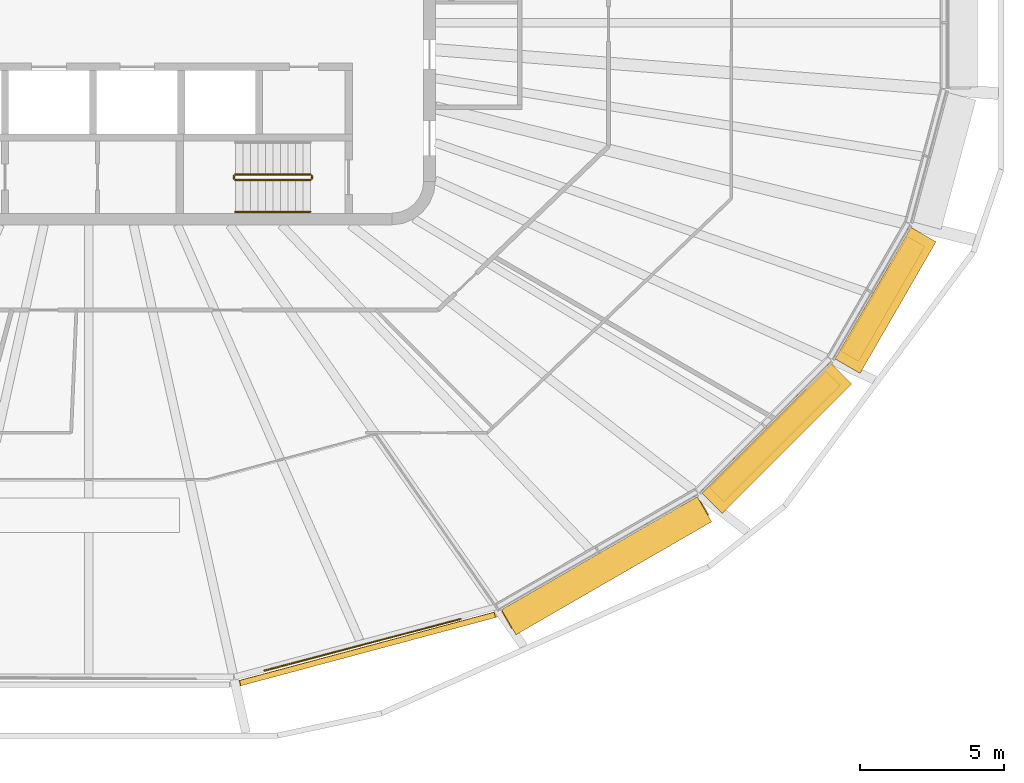
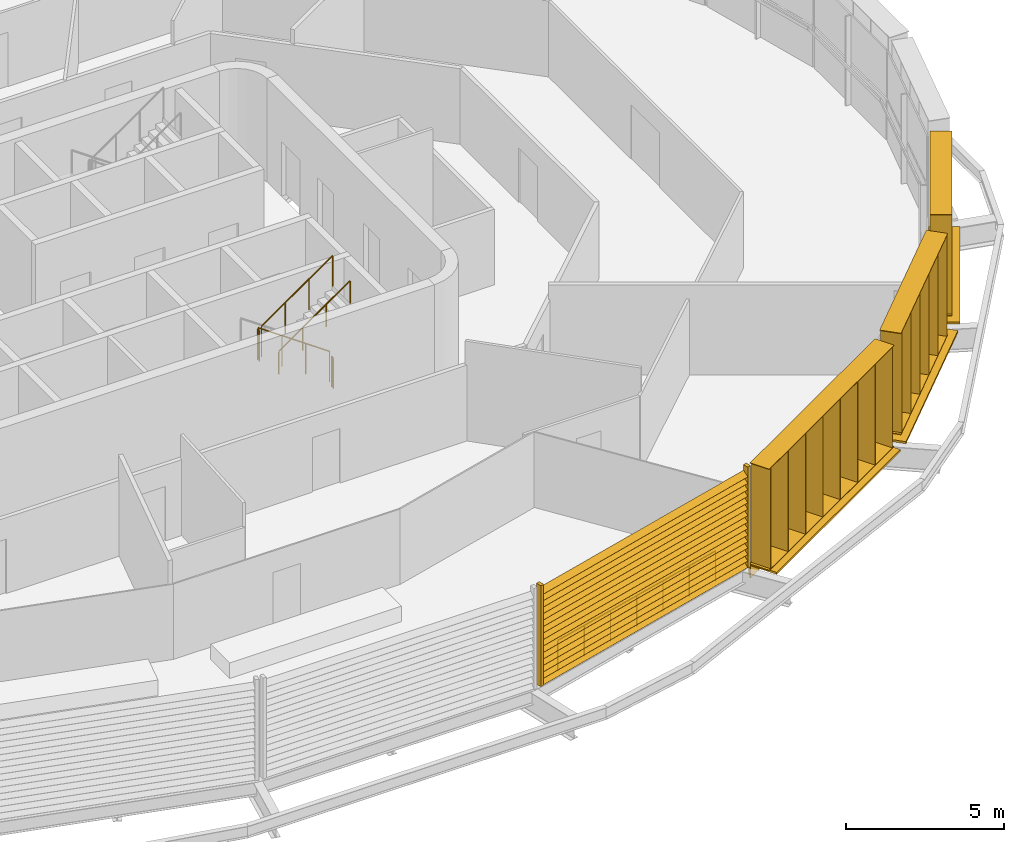
# One storey, part 18 of 20: 7 shading devices, 6 railings.
"""IFC4 building model written with IfcOpenShell, lengths in metres."""

from ifc_helpers import new_model, si_unit, direction, frame, origin, origin_2d, place, context, subcontext, project, spatial, rectangle, circle, extrude, material, type_object, element, save


model = new_model("IFC4")

# Units and contexts
model_context = context("Model", 3, precision=1e-05, world=origin(), true_north=direction((0.0, 1.0)))
body_context = subcontext(model_context, "Body", "Model", "MODEL_VIEW")
ifc_project = project(units=[si_unit("LENGTHUNIT", "METRE"), si_unit("AREAUNIT", "SQUARE_METRE"), si_unit("VOLUMEUNIT", "CUBIC_METRE"), si_unit("PLANEANGLEUNIT", "RADIAN"), si_unit("MASSUNIT", "GRAM", prefix="KILO")], contexts=[model_context])

# Site, building, storey
site_placement = place(None, origin())
site = spatial("IfcSite", under=ifc_project, at=site_placement, CompositionType="ELEMENT")
building_placement = place(site_placement, origin())
building = spatial("IfcBuilding", under=site, at=building_placement, Name="Sahrelin Media Tower", CompositionType="ELEMENT")
storey_placement = place(building_placement, frame((0.0, 0.0, 271.0)))
storey = spatial("IfcBuildingStorey", under=building, at=storey_placement, Name="L59", CompositionType="ELEMENT", Elevation=271.0)

# Shading devices
ifc_material_1 = material(Name="Champagne anodised aluminium 6063-T6", Category="aluminium")
shading_device_type_1 = type_object("IfcShadingDeviceType", Name="Fin cassette", PredefinedType="USERDEFINED", material=ifc_material_1)
placement_1 = place(storey_placement, frame((17.672119140625, -18.354736328125, 0.0), z_axis=(0.0, 0.0, 1.0), x_axis=(-0.866019052629, -0.500011000363, 0.0)))
element("IfcShadingDevice", 1, at=placement_1, inside=storey, type_object=shading_device_type_1, Name="L59:FIN:L59-20", ObjectType="FIN", PredefinedType="USERDEFINED", context=body_context, shape_type="SweptSolid", body=[
    extrude(rectangle(XDim=7.89990234375, YDim=0.699951171875, at=origin_2d()), frame((0.0, 0.419921875, 0.0)), (0.0, 0.0, 1.0), 0.02001953125),
    extrude(rectangle(XDim=7.89990234375, YDim=0.699951171875, at=origin_2d()), frame((0.0, 0.419921875, 3.89990234375)), (0.0, 0.0, 1.0), 0.02001953125),
    extrude(rectangle(XDim=0.02001953125, YDim=0.699951171875, at=origin_2d()), frame((-3.85009765625, 0.419921875, 0.010009765625), z_axis=(0.0, 0.0, 1.0), x_axis=(1.0, 0.0, 0.0)), (0.0, 0.0, 1.0), 3.89990234375),
    extrude(rectangle(XDim=0.02001953125, YDim=0.699951171875, at=origin_2d()), frame((-2.75, 0.419921875, 0.010009765625), z_axis=(0.0, 0.0, 1.0), x_axis=(1.0, 0.0, 0.0)), (0.0, 0.0, 1.0), 3.89990234375),
    extrude(rectangle(XDim=0.02001953125, YDim=0.699951171875, at=origin_2d()), frame((-1.64990234375, 0.419921875, 0.010009765625), z_axis=(0.0, 0.0, 1.0), x_axis=(1.0, 0.0, 0.0)), (0.0, 0.0, 1.0), 3.89990234375),
    extrude(rectangle(XDim=0.02001953125, YDim=0.699951171875, at=origin_2d()), frame((-0.550048828125, 0.419921875, 0.010009765625), z_axis=(0.0, 0.0, 1.0), x_axis=(1.0, 0.0, 0.0)), (0.0, 0.0, 1.0), 3.89990234375),
    extrude(rectangle(XDim=0.02001953125, YDim=0.699951171875, at=origin_2d()), frame((0.550048828125, 0.419921875, 0.010009765625), z_axis=(0.0, 0.0, 1.0), x_axis=(1.0, 0.0, 0.0)), (0.0, 0.0, 1.0), 3.89990234375),
    extrude(rectangle(XDim=0.02001953125, YDim=0.699951171875, at=origin_2d()), frame((1.64990234375, 0.419921875, 0.010009765625), z_axis=(0.0, 0.0, 1.0), x_axis=(1.0, 0.0, 0.0)), (0.0, 0.0, 1.0), 3.89990234375),
    extrude(rectangle(XDim=0.02001953125, YDim=0.699951171875, at=origin_2d()), frame((2.75, 0.419921875, 0.010009765625), z_axis=(0.0, 0.0, 1.0), x_axis=(1.0, 0.0, 0.0)), (0.0, 0.0, 1.0), 3.89990234375),
    extrude(rectangle(XDim=0.02001953125, YDim=0.699951171875, at=origin_2d()), frame((3.85009765625, 0.419921875, 0.010009765625), z_axis=(0.0, 0.0, 1.0), x_axis=(1.0, 0.0, 0.0)), (0.0, 0.0, 1.0), 3.89990234375),
])
placement_2 = place(storey_placement, frame((23.461181640625, -14.0341796875, 0.0), z_axis=(0.0, 0.0, 1.0), x_axis=(-0.707106781187, -0.707106781187, 0.0)))
element("IfcShadingDevice", 2, at=placement_2, inside=storey, type_object=shading_device_type_1, Name="L59:FIN:L59-21", ObjectType="FIN", PredefinedType="USERDEFINED", context=body_context, shape_type="SweptSolid", body=[
    extrude(rectangle(XDim=5.699951171875, YDim=0.699951171875, at=origin_2d()), frame((0.0, 0.419921875, 0.0)), (0.0, 0.0, 1.0), 0.02001953125),
    extrude(rectangle(XDim=5.699951171875, YDim=0.699951171875, at=origin_2d()), frame((0.0, 0.419921875, 3.89990234375)), (0.0, 0.0, 1.0), 0.02001953125),
    extrude(rectangle(XDim=0.02001953125, YDim=0.699951171875, at=origin_2d()), frame((-2.75, 0.419921875, 0.010009765625), z_axis=(0.0, 0.0, 1.0), x_axis=(1.0, 0.0, 0.0)), (0.0, 0.0, 1.0), 3.89990234375),
    extrude(rectangle(XDim=0.02001953125, YDim=0.699951171875, at=origin_2d()), frame((-1.64990234375, 0.419921875, 0.010009765625), z_axis=(0.0, 0.0, 1.0), x_axis=(1.0, 0.0, 0.0)), (0.0, 0.0, 1.0), 3.89990234375),
    extrude(rectangle(XDim=0.02001953125, YDim=0.699951171875, at=origin_2d()), frame((-0.550048828125, 0.419921875, 0.010009765625), z_axis=(0.0, 0.0, 1.0), x_axis=(1.0, 0.0, 0.0)), (0.0, 0.0, 1.0), 3.89990234375),
    extrude(rectangle(XDim=0.02001953125, YDim=0.699951171875, at=origin_2d()), frame((0.550048828125, 0.419921875, 0.010009765625), z_axis=(0.0, 0.0, 1.0), x_axis=(1.0, 0.0, 0.0)), (0.0, 0.0, 1.0), 3.89990234375),
    extrude(rectangle(XDim=0.02001953125, YDim=0.699951171875, at=origin_2d()), frame((1.64990234375, 0.419921875, 0.010009765625), z_axis=(0.0, 0.0, 1.0), x_axis=(1.0, 0.0, 0.0)), (0.0, 0.0, 1.0), 3.89990234375),
    extrude(rectangle(XDim=0.02001953125, YDim=0.699951171875, at=origin_2d()), frame((2.75, 0.419921875, 0.010009765625), z_axis=(0.0, 0.0, 1.0), x_axis=(1.0, 0.0, 0.0)), (0.0, 0.0, 1.0), 3.89990234375),
])
placement_3 = place(storey_placement, frame((27.14111328125, -9.355224609375, 0.0), z_axis=(0.0, 0.0, 1.0), x_axis=(-0.500011000363, -0.866019052629, 0.0)))
element("IfcShadingDevice", 3, at=placement_3, inside=storey, type_object=shading_device_type_1, Name="L59:FIN:L59-22", ObjectType="FIN", PredefinedType="USERDEFINED", context=body_context, shape_type="SweptSolid", body=[
    extrude(rectangle(XDim=4.60009765625, YDim=0.699951171875, at=origin_2d()), frame((0.0, 0.419921875, 0.0)), (0.0, 0.0, 1.0), 0.02001953125),
    extrude(rectangle(XDim=4.60009765625, YDim=0.699951171875, at=origin_2d()), frame((0.0, 0.419921875, 3.89990234375)), (0.0, 0.0, 1.0), 0.02001953125),
    extrude(rectangle(XDim=0.02001953125, YDim=0.699951171875, at=origin_2d()), frame((-2.199951171875, 0.419921875, 0.010009765625), z_axis=(0.0, 0.0, 1.0), x_axis=(1.0, 0.0, 0.0)), (0.0, 0.0, 1.0), 3.89990234375),
    extrude(rectangle(XDim=0.02001953125, YDim=0.699951171875, at=origin_2d()), frame((-1.10009765625, 0.419921875, 0.010009765625), z_axis=(0.0, 0.0, 1.0), x_axis=(1.0, 0.0, 0.0)), (0.0, 0.0, 1.0), 3.89990234375),
    extrude(rectangle(XDim=0.02001953125, YDim=0.699951171875, at=origin_2d()), frame((0.0, 0.419921875, 0.010009765625), z_axis=(0.0, 0.0, 1.0), x_axis=(1.0, 0.0, 0.0)), (0.0, 0.0, 1.0), 3.89990234375),
    extrude(rectangle(XDim=0.02001953125, YDim=0.699951171875, at=origin_2d()), frame((1.10009765625, 0.419921875, 0.010009765625), z_axis=(0.0, 0.0, 1.0), x_axis=(1.0, 0.0, 0.0)), (0.0, 0.0, 1.0), 3.89990234375),
    extrude(rectangle(XDim=0.02001953125, YDim=0.699951171875, at=origin_2d()), frame((2.199951171875, 0.419921875, 0.010009765625), z_axis=(0.0, 0.0, 1.0), x_axis=(1.0, 0.0, 0.0)), (0.0, 0.0, 1.0), 3.89990234375),
])
shading_device_type_2 = type_object("IfcShadingDeviceType", Name="Garden screen", PredefinedType="USERDEFINED", material=ifc_material_1)
shading_device_4_placement = place(storey_placement, frame((9.624267578125, -21.586181640625, 0.0), z_axis=(0.0, 0.0, 1.0), x_axis=(-0.965928857556, -0.258807731996, 0.0)))
element("IfcShadingDevice", 4, at=shading_device_4_placement, inside=storey, type_object=shading_device_type_2, Name="L59:SCREEN:L59-19", ObjectType="SCREEN", PredefinedType="USERDEFINED", context=body_context, shape_type="SweptSolid", body=[
    extrude(rectangle(XDim=0.1201171875, YDim=0.199951171875, at=origin_2d()), frame((4.62451171875, 0.10009765625, 0.050048828125), z_axis=(0.0, 0.0, 1.0), x_axis=(1.0, 0.0, 0.0)), (0.0, 0.0, 1.0), 3.89990234375),
    extrude(rectangle(XDim=0.1201171875, YDim=0.199951171875, at=origin_2d()), frame((-4.62451171875, 0.10009765625, 0.050048828125), z_axis=(0.0, 0.0, 1.0), x_axis=(1.0, 0.0, 0.0)), (0.0, 0.0, 1.0), 3.89990234375),
    extrude(rectangle(XDim=0.25, YDim=0.02001953125, at=origin_2d()), frame((4.564697265625, 0.10009765625, 0.14990234375), z_axis=(-1.0, 0.0, 0.0), x_axis=(0.0, -0.766044443119, 0.642787609687)), (0.0, 0.0, 1.0), 9.12939453125),
    extrude(rectangle(XDim=0.25, YDim=0.02001953125, at=origin_2d()), frame((4.564697265625, 0.10009765625, 0.39990234375), z_axis=(-1.0, 0.0, 0.0), x_axis=(0.0, -0.766044443119, 0.642787609687)), (0.0, 0.0, 1.0), 9.12939453125),
    extrude(rectangle(XDim=0.25, YDim=0.02001953125, at=origin_2d()), frame((4.564697265625, 0.10009765625, 0.64990234375), z_axis=(-1.0, 0.0, 0.0), x_axis=(0.0, -0.766044443119, 0.642787609687)), (0.0, 0.0, 1.0), 9.12939453125),
    extrude(rectangle(XDim=0.25, YDim=0.02001953125, at=origin_2d()), frame((4.564697265625, 0.10009765625, 0.89990234375), z_axis=(-1.0, 0.0, 0.0), x_axis=(0.0, -0.766044443119, 0.642787609687)), (0.0, 0.0, 1.0), 9.12939453125),
    extrude(rectangle(XDim=0.25, YDim=0.02001953125, at=origin_2d()), frame((4.564697265625, 0.10009765625, 1.14990234375), z_axis=(-1.0, 0.0, 0.0), x_axis=(0.0, -0.766044443119, 0.642787609687)), (0.0, 0.0, 1.0), 9.12939453125),
    extrude(rectangle(XDim=0.25, YDim=0.02001953125, at=origin_2d()), frame((4.564697265625, 0.10009765625, 1.39990234375), z_axis=(-1.0, 0.0, 0.0), x_axis=(0.0, -0.766044443119, 0.642787609687)), (0.0, 0.0, 1.0), 9.12939453125),
    extrude(rectangle(XDim=0.25, YDim=0.02001953125, at=origin_2d()), frame((4.564697265625, 0.10009765625, 1.64990234375), z_axis=(-1.0, 0.0, 0.0), x_axis=(0.0, -0.766044443119, 0.642787609687)), (0.0, 0.0, 1.0), 9.12939453125),
    extrude(rectangle(XDim=0.25, YDim=0.02001953125, at=origin_2d()), frame((4.564697265625, 0.10009765625, 1.89990234375), z_axis=(-1.0, 0.0, 0.0), x_axis=(0.0, -0.766044443119, 0.642787609687)), (0.0, 0.0, 1.0), 9.12939453125),
    extrude(rectangle(XDim=0.25, YDim=0.02001953125, at=origin_2d()), frame((4.564697265625, 0.10009765625, 2.14990234375), z_axis=(-1.0, 0.0, 0.0), x_axis=(0.0, -0.766044443119, 0.642787609687)), (0.0, 0.0, 1.0), 9.12939453125),
    extrude(rectangle(XDim=0.25, YDim=0.02001953125, at=origin_2d()), frame((4.564697265625, 0.10009765625, 2.39990234375), z_axis=(-1.0, 0.0, 0.0), x_axis=(0.0, -0.766044443119, 0.642787609687)), (0.0, 0.0, 1.0), 9.12939453125),
    extrude(rectangle(XDim=0.25, YDim=0.02001953125, at=origin_2d()), frame((4.564697265625, 0.10009765625, 2.64990234375), z_axis=(-1.0, 0.0, 0.0), x_axis=(0.0, -0.766044443119, 0.642787609687)), (0.0, 0.0, 1.0), 9.12939453125),
    extrude(rectangle(XDim=0.25, YDim=0.02001953125, at=origin_2d()), frame((4.564697265625, 0.10009765625, 2.89990234375), z_axis=(-1.0, 0.0, 0.0), x_axis=(0.0, -0.766044443119, 0.642787609687)), (0.0, 0.0, 1.0), 9.12939453125),
    extrude(rectangle(XDim=0.25, YDim=0.02001953125, at=origin_2d()), frame((4.564697265625, 0.10009765625, 3.14990234375), z_axis=(-1.0, 0.0, 0.0), x_axis=(0.0, -0.766044443119, 0.642787609687)), (0.0, 0.0, 1.0), 9.12939453125),
    extrude(rectangle(XDim=0.25, YDim=0.02001953125, at=origin_2d()), frame((4.564697265625, 0.10009765625, 3.39990234375), z_axis=(-1.0, 0.0, 0.0), x_axis=(0.0, -0.766044443119, 0.642787609687)), (0.0, 0.0, 1.0), 9.12939453125),
    extrude(rectangle(XDim=0.25, YDim=0.02001953125, at=origin_2d()), frame((4.564697265625, 0.10009765625, 3.64990234375), z_axis=(-1.0, 0.0, 0.0), x_axis=(0.0, -0.766044443119, 0.642787609687)), (0.0, 0.0, 1.0), 9.12939453125),
])

# Railings
ifc_material_2 = material(Name="Stainless steel 316", Category="steel")
railing_type_1 = type_object("IfcRailingType", Name="Sky garden guard", PredefinedType="GUARDRAIL", material=ifc_material_2)
railing_1_placement = place(storey_placement, frame((6.08740234375, -22.43603515625, 0.0)))
element("IfcRailing", 5, at=railing_1_placement, inside=storey, type_object=railing_type_1, Name="Sky garden guard G5-4", PredefinedType="GUARDRAIL", context=body_context, shape_type="SweptSolid", body=[
    extrude(circle(Radius=0.02392578125, at=origin_2d()), frame((0.0, 0.0, 1.17578125), z_axis=(0.967197429076, 0.254025851418, 0.0), x_axis=(-0.254025851418, 0.967197429076, 0.0)), (0.0, 0.0, 1.0), 7.018798828125),
    extrude(circle(Radius=0.02099609375, at=origin_2d()), origin(), (0.0, 0.0, 1.0), 1.15185546875),
    extrude(circle(Radius=0.02099609375, at=origin_2d()), frame((1.13134765625, 0.297119140625, 0.0)), (0.0, 0.0, 1.0), 1.15185546875),
    extrude(circle(Radius=0.02099609375, at=origin_2d()), frame((2.262939453125, 0.59423828125, 0.0)), (0.0, 0.0, 1.0), 1.15185546875),
    extrude(circle(Radius=0.02099609375, at=origin_2d()), frame((3.394287109375, 0.8916015625, 0.0)), (0.0, 0.0, 1.0), 1.15185546875),
    extrude(circle(Radius=0.02099609375, at=origin_2d()), frame((4.525634765625, 1.188720703125, 0.0)), (0.0, 0.0, 1.0), 1.15185546875),
    extrude(circle(Radius=0.02099609375, at=origin_2d()), frame((5.6572265625, 1.48583984375, 0.0)), (0.0, 0.0, 1.0), 1.15185546875),
    extrude(circle(Radius=0.02099609375, at=origin_2d()), frame((6.78857421875, 1.782958984375, 0.0)), (0.0, 0.0, 1.0), 1.15185546875),
])
ifc_material_3 = material(Name="Steel S355", Category="steel")
railing_type_2 = type_object("IfcRailingType", Name="Stair guard 1200", PredefinedType="GUARDRAIL", material=ifc_material_3)
railing_2_placement = place(storey_placement, frame((7.675048828125, -5.25, 0.181884765625)))
element("IfcRailing", 6, at=railing_2_placement, inside=storey, type_object=railing_type_2, Name="L59 ST2 stair guard 1", PredefinedType="GUARDRAIL", context=body_context, shape_type="SweptSolid", body=[
    extrude(circle(Radius=0.02392578125, at=origin_2d()), frame((0.0, 0.0, 1.17578125), z_axis=(-0.819521025635, 0.0, 0.573049115296), x_axis=(0.0, -1.0, 0.0)), (0.0, 0.0, 1.0), 3.172607421875),
    extrude(circle(Radius=0.02099609375, at=origin_2d()), origin(), (0.0, 0.0, 1.0), 1.15185546875),
    extrude(circle(Radius=0.02099609375, at=origin_2d()), frame((-0.86669921875, 0.0, 0.60595703125)), (0.0, 0.0, 1.0), 1.15185546875),
    extrude(circle(Radius=0.02099609375, at=origin_2d()), frame((-1.7333984375, 0.0, 1.212158203125)), (0.0, 0.0, 1.0), 1.15185546875),
    extrude(circle(Radius=0.02099609375, at=origin_2d()), frame((-2.60009765625, 0.0, 1.818115234375)), (0.0, 0.0, 1.0), 1.15185546875),
])
railing_3_placement = place(storey_placement, frame((5.02490234375, -5.300048828125, 2.0)))
element("IfcRailing", 7, at=railing_3_placement, inside=storey, type_object=railing_type_2, Name="L59 ST2 stair guard 2", PredefinedType="GUARDRAIL", context=body_context, shape_type="SweptSolid", body=[
    extrude(circle(Radius=0.02392578125, at=origin_2d()), frame((0.0, 0.0, 1.17578125), z_axis=(0.0, -1.0, 0.0), x_axis=(1.0, 0.0, 0.0)), (0.0, 0.0, 1.0), 0.099853515625),
    extrude(circle(Radius=0.02099609375, at=origin_2d()), origin(), (0.0, 0.0, 1.0), 1.15185546875),
    extrude(circle(Radius=0.02099609375, at=origin_2d()), frame((0.0, -0.099853515625, 0.0)), (0.0, 0.0, 1.0), 1.15185546875),
])
railing_4_placement = place(storey_placement, frame((5.074951171875, -5.449951171875, 2.181884765625)))
element("IfcRailing", 8, at=railing_4_placement, inside=storey, type_object=railing_type_2, Name="L59 ST2 stair guard 3", PredefinedType="GUARDRAIL", context=body_context, shape_type="SweptSolid", body=[
    extrude(circle(Radius=0.02392578125, at=origin_2d()), frame((0.0, 0.0, 1.17578125), z_axis=(0.819521025635, 0.0, 0.573049115296), x_axis=(0.0, 1.0, 0.0)), (0.0, 0.0, 1.0), 3.172607421875),
    extrude(circle(Radius=0.02099609375, at=origin_2d()), origin(), (0.0, 0.0, 1.0), 1.15185546875),
    extrude(circle(Radius=0.02099609375, at=origin_2d()), frame((0.86669921875, 0.0, 0.60595703125)), (0.0, 0.0, 1.0), 1.15185546875),
    extrude(circle(Radius=0.02099609375, at=origin_2d()), frame((1.7333984375, 0.0, 1.212158203125)), (0.0, 0.0, 1.0), 1.15185546875),
    extrude(circle(Radius=0.02099609375, at=origin_2d()), frame((2.60009765625, 0.0, 1.818115234375)), (0.0, 0.0, 1.0), 1.15185546875),
])
railing_5_placement = place(storey_placement, frame((7.72509765625, -5.300048828125, 0.0)))
element("IfcRailing", 9, at=railing_5_placement, inside=storey, type_object=railing_type_2, Name="L59 ST2 stair guard 4", PredefinedType="GUARDRAIL", context=body_context, shape_type="SweptSolid", body=[
    extrude(circle(Radius=0.02392578125, at=origin_2d()), frame((0.0, 0.0, 1.17578125), z_axis=(0.0, -1.0, 0.0), x_axis=(1.0, 0.0, 0.0)), (0.0, 0.0, 1.0), 0.099853515625),
    extrude(circle(Radius=0.02099609375, at=origin_2d()), origin(), (0.0, 0.0, 1.0), 1.15185546875),
    extrude(circle(Radius=0.02099609375, at=origin_2d()), frame((0.0, -0.099853515625, 0.0)), (0.0, 0.0, 1.0), 1.15185546875),
])
railing_type_3 = type_object("IfcRailingType", Name="Stair handrail 900", PredefinedType="HANDRAIL", material=ifc_material_3)
railing_6_placement = place(storey_placement, frame((5.074951171875, -6.550048828125, 2.181884765625)))
element("IfcRailing", 10, at=railing_6_placement, inside=storey, type_object=railing_type_3, Name="L59 ST2 stair handrail 2", PredefinedType="HANDRAIL", context=body_context, shape_type="SweptSolid", body=[
    extrude(circle(Radius=0.02392578125, at=origin_2d()), frame((0.0, 0.0, 0.8759765625), z_axis=(0.819521025635, 0.0, 0.573049115296), x_axis=(0.0, 1.0, 0.0)), (0.0, 0.0, 1.0), 3.172607421875),
    extrude(circle(Radius=0.02099609375, at=origin_2d()), origin(), (0.0, 0.0, 1.0), 0.851806640625),
    extrude(circle(Radius=0.02099609375, at=origin_2d()), frame((0.86669921875, 0.0, 0.60595703125)), (0.0, 0.0, 1.0), 0.851806640625),
    extrude(circle(Radius=0.02099609375, at=origin_2d()), frame((1.7333984375, 0.0, 1.212158203125)), (0.0, 0.0, 1.0), 0.851806640625),
    extrude(circle(Radius=0.02099609375, at=origin_2d()), frame((2.60009765625, 0.0, 1.818115234375)), (0.0, 0.0, 1.0), 0.851806640625),
])

# Shading devices
shading_device_type_3 = type_object("IfcShadingDeviceType", Name="Sunshade band", PredefinedType="USERDEFINED", material=ifc_material_1)
element("IfcShadingDevice", 11, at=placement_1, inside=storey, type_object=shading_device_type_3, Name="L59:SUN:L59-20", ObjectType="SUNSHADE", PredefinedType="USERDEFINED", context=body_context, shape_type="SweptSolid", body=[
    extrude(rectangle(XDim=7.823974609375, YDim=0.050048828125, at=origin_2d()), frame((0.0, 0.044921875, -0.55126953125)), (0.0, 0.0, 1.0), 0.471435546875),
    extrude(rectangle(XDim=7.823974609375, YDim=1.0, at=origin_2d()), frame((0.0, 0.52001953125, -0.080078125)), (0.0, 0.0, 1.0), 0.080078125),
    extrude(rectangle(XDim=0.10009765625, YDim=0.074951171875, at=origin_2d()), frame((-3.81201171875, -0.017578125, -0.47021484375)), (0.0, 0.0, 1.0), 0.300048828125),
    extrude(rectangle(XDim=0.10009765625, YDim=0.074951171875, at=origin_2d()), frame((-1.906005859375, -0.017578125, -0.47021484375)), (0.0, 0.0, 1.0), 0.300048828125),
    extrude(rectangle(XDim=0.10009765625, YDim=0.074951171875, at=origin_2d()), frame((0.0, -0.017578125, -0.47021484375)), (0.0, 0.0, 1.0), 0.300048828125),
    extrude(rectangle(XDim=0.10009765625, YDim=0.074951171875, at=origin_2d()), frame((1.906005859375, -0.017578125, -0.47021484375)), (0.0, 0.0, 1.0), 0.300048828125),
    extrude(rectangle(XDim=0.10009765625, YDim=0.074951171875, at=origin_2d()), frame((3.81201171875, -0.017578125, -0.47021484375)), (0.0, 0.0, 1.0), 0.300048828125),
])
element("IfcShadingDevice", 12, at=placement_2, inside=storey, type_object=shading_device_type_3, Name="L59:SUN:L59-21", ObjectType="SUNSHADE", PredefinedType="USERDEFINED", context=body_context, shape_type="SweptSolid", body=[
    extrude(rectangle(XDim=6.346923828125, YDim=0.050048828125, at=origin_2d()), frame((0.0, 0.044921875, -0.55126953125)), (0.0, 0.0, 1.0), 0.471435546875),
    extrude(rectangle(XDim=6.346923828125, YDim=1.0, at=origin_2d()), frame((0.0, 0.52001953125, -0.080078125)), (0.0, 0.0, 1.0), 0.080078125),
    extrude(rectangle(XDim=0.10009765625, YDim=0.074951171875, at=origin_2d()), frame((-3.073486328125, -0.017578125, -0.47021484375)), (0.0, 0.0, 1.0), 0.300048828125),
    extrude(rectangle(XDim=0.10009765625, YDim=0.074951171875, at=origin_2d()), frame((-1.53662109375, -0.017578125, -0.47021484375)), (0.0, 0.0, 1.0), 0.300048828125),
    extrude(rectangle(XDim=0.10009765625, YDim=0.074951171875, at=origin_2d()), frame((0.0, -0.017578125, -0.47021484375)), (0.0, 0.0, 1.0), 0.300048828125),
    extrude(rectangle(XDim=0.10009765625, YDim=0.074951171875, at=origin_2d()), frame((1.53662109375, -0.017578125, -0.47021484375)), (0.0, 0.0, 1.0), 0.300048828125),
    extrude(rectangle(XDim=0.10009765625, YDim=0.074951171875, at=origin_2d()), frame((3.073486328125, -0.017578125, -0.47021484375)), (0.0, 0.0, 1.0), 0.300048828125),
])
element("IfcShadingDevice", 13, at=placement_3, inside=storey, type_object=shading_device_type_3, Name="L59:SUN:L59-22", ObjectType="SUNSHADE", PredefinedType="USERDEFINED", context=body_context, shape_type="SweptSolid", body=[
    extrude(rectangle(XDim=5.26025390625, YDim=0.050048828125, at=origin_2d()), frame((0.0, 0.044921875, -0.55126953125)), (0.0, 0.0, 1.0), 0.471435546875),
    extrude(rectangle(XDim=5.26025390625, YDim=1.0, at=origin_2d()), frame((0.0, 0.52001953125, -0.080078125)), (0.0, 0.0, 1.0), 0.080078125),
    extrude(rectangle(XDim=0.10009765625, YDim=0.074951171875, at=origin_2d()), frame((-2.5302734375, -0.017578125, -0.47021484375)), (0.0, 0.0, 1.0), 0.300048828125),
    extrude(rectangle(XDim=0.10009765625, YDim=0.074951171875, at=origin_2d()), frame((-0.843505859375, -0.017578125, -0.47021484375)), (0.0, 0.0, 1.0), 0.300048828125),
    extrude(rectangle(XDim=0.10009765625, YDim=0.074951171875, at=origin_2d()), frame((0.843505859375, -0.017578125, -0.47021484375)), (0.0, 0.0, 1.0), 0.300048828125),
    extrude(rectangle(XDim=0.10009765625, YDim=0.074951171875, at=origin_2d()), frame((2.5302734375, -0.017578125, -0.47021484375)), (0.0, 0.0, 1.0), 0.300048828125),
])

save(model, "model.ifc")
